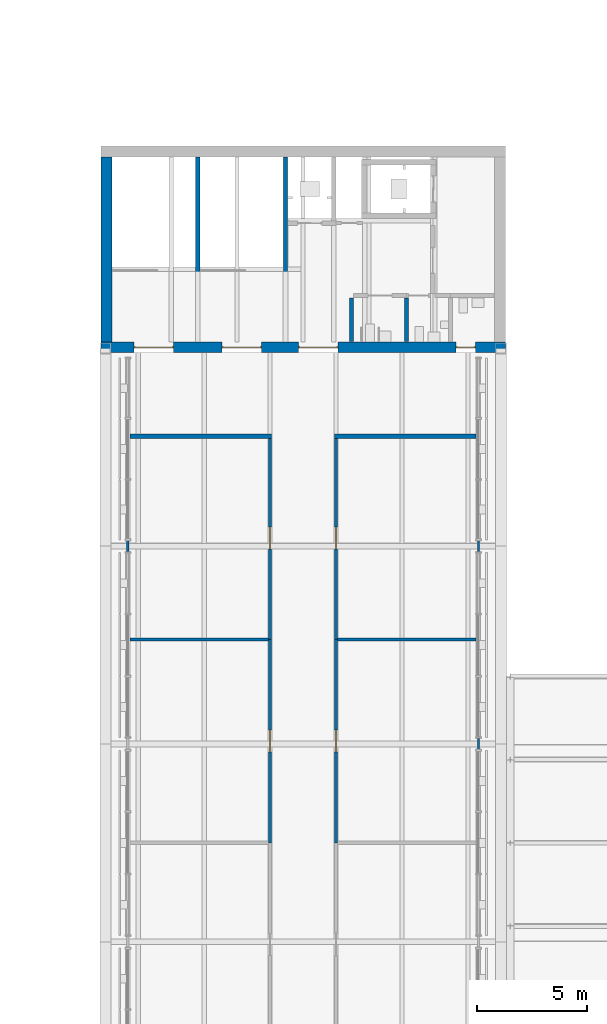
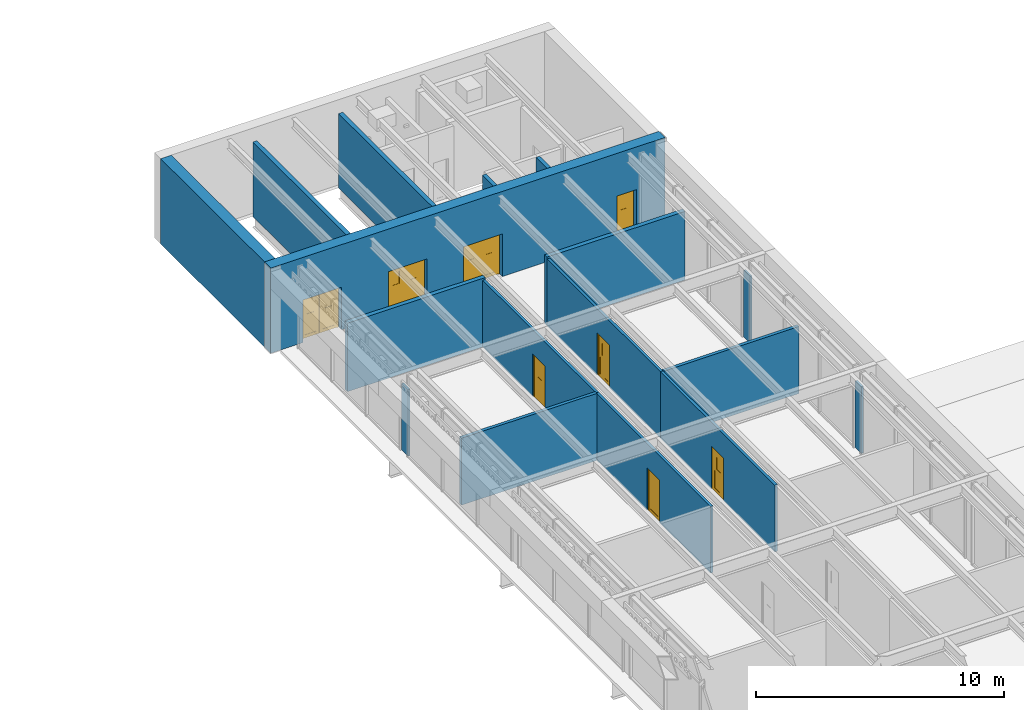
# One storey, part 21 of 43: 17 walls, 8 doors, 8 openings.
"""IFC4 building model written with IfcOpenShell, lengths in metres."""

from ifc_helpers import new_model, si_unit, direction, frame, frame_2d, origin, place, context, subcontext, project, spatial, polyline, rectangle, outline, extrude, material, layer, layer_set, type_object, element, fill, save


model = new_model("IFC4")

# Units and contexts
model_context = context("Model", 3, precision=1e-05, world=origin(), true_north=direction((0.0, 1.0)))
body_context = subcontext(model_context, "Body", "Model", "MODEL_VIEW")
ifc_project = project(units=[si_unit("LENGTHUNIT", "METRE"), si_unit("AREAUNIT", "SQUARE_METRE"), si_unit("VOLUMEUNIT", "CUBIC_METRE"), si_unit("PLANEANGLEUNIT", "RADIAN"), si_unit("MASSUNIT", "GRAM", prefix="KILO")], contexts=[model_context])

# Site, building, storey
site_placement = place(None, origin())
site = spatial("IfcSite", under=ifc_project, at=site_placement, CompositionType="ELEMENT")
building_placement = place(site_placement, origin())
building = spatial("IfcBuilding", under=site, at=building_placement, Name="Baradari Gate Terminus", CompositionType="ELEMENT")
storey_placement = place(building_placement, frame((0.0, 0.0, 20.10009765625)))
storey = spatial("IfcBuildingStorey", under=building, at=storey_placement, Name="L04", CompositionType="ELEMENT", Elevation=20.10009765625)

# Wall, openings, doors
ifc_material_1 = material(Name="Concrete C40/50", Category="concrete")
ifc_layer_1 = layer(ifc_material_1, 0.5)
ifc_layer_set_1 = layer_set([ifc_layer_1], Name="Concrete C40/50")
wall_type_1 = type_object("IfcWallType", Name="Abutment core wall CWL05 500", PredefinedType="SOLIDWALL", material=ifc_layer_set_1)
wall_1_placement = place(storey_placement, frame((71.800048828125, 81.050048828125, 0.0), z_axis=(0.0, 0.0, 1.0), x_axis=(1.0, 0.0, 0.0)))
wall_1 = element("IfcWall", 1, at=wall_1_placement, inside=storey, type_object=wall_type_1, Name="Abutment core wall GN S L04", PredefinedType="SOLIDWALL", context=body_context, shape_type="SweptSolid", body=[
    extrude(rectangle(XDim=18.39990234375, YDim=0.5, at=frame_2d((9.199951171875, 0.0))), origin(), (0.0, 0.0, 1.0), 4.199951171875),
])
opening_1_placement = place(wall_1_placement, frame((1.5, 0.0, 0.0)))
opening_1 = element("IfcOpeningElement", 2, at=opening_1_placement, cuts=wall_1, Name="Opening D04-031", PredefinedType="OPENING", context=body_context, shape_type="SweptSolid", body=[
    extrude(rectangle(XDim=1.800048828125, YDim=2.10009765625, at=frame_2d((0.89990234375, 1.050048828125))), frame((0.0, 0.260009765625, 0.0), z_axis=(0.0, -1.0, 0.0), x_axis=(1.0, 0.0, 0.0)), (0.0, 0.0, 1.0), 0.52001953125),
])
opening_2_placement = place(wall_1_placement, frame((5.5, 0.0, 0.0)))
opening_2 = element("IfcOpeningElement", 3, at=opening_2_placement, cuts=wall_1, Name="Opening D04-032", PredefinedType="OPENING", context=body_context, shape_type="SweptSolid", body=[
    extrude(rectangle(XDim=1.800048828125, YDim=2.10009765625, at=frame_2d((0.89990234375, 1.050048828125))), frame((0.0, 0.260009765625, 0.0), z_axis=(0.0, -1.0, 0.0), x_axis=(1.0, 0.0, 0.0)), (0.0, 0.0, 1.0), 0.52001953125),
])
opening_3_placement = place(wall_1_placement, frame((9.0, 0.0, 0.0)))
opening_3 = element("IfcOpeningElement", 4, at=opening_3_placement, cuts=wall_1, Name="Opening D04-033", PredefinedType="OPENING", context=body_context, shape_type="SweptSolid", body=[
    extrude(rectangle(XDim=1.800048828125, YDim=2.10009765625, at=frame_2d((0.89990234375, 1.050048828125))), frame((0.0, 0.260009765625, 0.0), z_axis=(0.0, -1.0, 0.0), x_axis=(1.0, 0.0, 0.0)), (0.0, 0.0, 1.0), 0.52001953125),
])
opening_4_placement = place(wall_1_placement, frame((16.14990234375, 0.0, 0.0)))
opening_4 = element("IfcOpeningElement", 5, at=opening_4_placement, cuts=wall_1, Name="Opening D04-038", PredefinedType="OPENING", context=body_context, shape_type="SweptSolid", body=[
    extrude(rectangle(XDim=0.89990234375, YDim=2.10009765625, at=frame_2d((0.449951171875, 1.050048828125))), frame((0.0, 0.260009765625, 0.0), z_axis=(0.0, -1.0, 0.0), x_axis=(1.0, 0.0, 0.0)), (0.0, 0.0, 1.0), 0.52001953125),
])
ifc_material_2 = material(Name="Steel S275", Category="steel")
door_type_1 = type_object("IfcDoorType", Name="Fire door FI-1800-FD90S 1800x2100 FD90S", OperationType="DOUBLE_DOOR_SINGLE_SWING", PredefinedType="DOOR", material=ifc_material_2)
door_1_placement = place(opening_1_placement, origin())
door_1 = element("IfcDoor", 6, at=door_1_placement, inside=storey, type_object=door_type_1, Name="Door Stair (Gate North) 1", OperationType="DOUBLE_DOOR_SINGLE_SWING", OverallHeight=2.1, OverallWidth=1.8, PredefinedType="DOOR", context=body_context, shape_type="SweptSolid", body=[
    extrude(outline(polyline([(0.0, 0.0), (0.070068359375, 0.0), (0.070068359375, 2.030029296875), (1.72998046875, 2.030029296875), (1.72998046875, 0.0), (1.800048828125, 0.0), (1.800048828125, 2.10009765625), (0.0, 2.10009765625), (0.0, 0.0)])), frame((0.0, 0.02490234375, 0.0), z_axis=(0.0, -1.0, 0.0), x_axis=(1.0, 0.0, 0.0)), (0.0, 0.0, 1.0), 0.050048828125),
    extrude(outline(polyline([(0.073974609375, 0.010009765625), (0.89697265625, 0.010009765625), (0.89697265625, 2.026123046875), (0.073974609375, 2.026123046875), (0.073974609375, 0.010009765625)]), holes=[polyline([(0.194091796875, 0.159912109375), (0.77685546875, 0.159912109375), (0.77685546875, 1.010009765625), (0.194091796875, 1.010009765625), (0.194091796875, 0.159912109375)]), polyline([(0.33544921875, 1.159912109375), (0.635498046875, 1.159912109375), (0.635498046875, 1.760009765625), (0.33544921875, 1.760009765625), (0.33544921875, 1.159912109375)])]), frame((0.0, 0.017333984375, 0.0), z_axis=(0.0, -1.0, 0.0), x_axis=(1.0, 0.0, 0.0)), (0.0, 0.0, 1.0), 0.034912109375),
    extrude(rectangle(XDim=0.582763671875, YDim=0.85009765625, at=frame_2d((0.4853515625, 0.5849609375))), frame((0.0, 0.008544921875, 0.0), z_axis=(0.0, -1.0, 0.0), x_axis=(1.0, 0.0, 0.0)), (0.0, 0.0, 1.0), 0.017333984375),
    extrude(rectangle(XDim=0.300048828125, YDim=0.60009765625, at=frame_2d((0.4853515625, 1.4599609375))), frame((0.0, 0.005859375, 0.0), z_axis=(0.0, -1.0, 0.0), x_axis=(1.0, 0.0, 0.0)), (0.0, 0.0, 1.0), 0.011962890625),
    extrude(outline(polyline([(0.903076171875, 0.010009765625), (1.72607421875, 0.010009765625), (1.72607421875, 2.026123046875), (0.903076171875, 2.026123046875), (0.903076171875, 0.010009765625)]), holes=[polyline([(1.023193359375, 0.159912109375), (1.60595703125, 0.159912109375), (1.60595703125, 1.010009765625), (1.023193359375, 1.010009765625), (1.023193359375, 0.159912109375)]), polyline([(1.16455078125, 1.159912109375), (1.464599609375, 1.159912109375), (1.464599609375, 1.760009765625), (1.16455078125, 1.760009765625), (1.16455078125, 1.159912109375)])]), frame((0.0, 0.017333984375, 0.0), z_axis=(0.0, -1.0, 0.0), x_axis=(1.0, 0.0, 0.0)), (0.0, 0.0, 1.0), 0.034912109375),
    extrude(rectangle(XDim=0.582763671875, YDim=0.85009765625, at=frame_2d((1.314453125, 0.5849609375))), frame((0.0, 0.008544921875, 0.0), z_axis=(0.0, -1.0, 0.0), x_axis=(1.0, 0.0, 0.0)), (0.0, 0.0, 1.0), 0.017333984375),
    extrude(rectangle(XDim=0.300048828125, YDim=0.60009765625, at=frame_2d((1.314453125, 1.4599609375))), frame((0.0, 0.005859375, 0.0), z_axis=(0.0, -1.0, 0.0), x_axis=(1.0, 0.0, 0.0)), (0.0, 0.0, 1.0), 0.011962890625),
])
fill(opening_1, door_1)
door_2_placement = place(opening_2_placement, origin())
door_2 = element("IfcDoor", 7, at=door_2_placement, inside=storey, type_object=door_type_1, Name="Door Stair (Gate North) 2", OperationType="DOUBLE_DOOR_SINGLE_SWING", OverallHeight=2.1, OverallWidth=1.8, PredefinedType="DOOR", context=body_context, shape_type="SweptSolid", body=[
    extrude(outline(polyline([(0.0, 0.0), (0.070068359375, 0.0), (0.070068359375, 2.030029296875), (1.72998046875, 2.030029296875), (1.72998046875, 0.0), (1.800048828125, 0.0), (1.800048828125, 2.10009765625), (0.0, 2.10009765625), (0.0, 0.0)])), frame((0.0, 0.02490234375, 0.0), z_axis=(0.0, -1.0, 0.0), x_axis=(1.0, 0.0, 0.0)), (0.0, 0.0, 1.0), 0.050048828125),
    extrude(outline(polyline([(0.073974609375, 0.010009765625), (0.89697265625, 0.010009765625), (0.89697265625, 2.026123046875), (0.073974609375, 2.026123046875), (0.073974609375, 0.010009765625)]), holes=[polyline([(0.194091796875, 0.159912109375), (0.77685546875, 0.159912109375), (0.77685546875, 1.010009765625), (0.194091796875, 1.010009765625), (0.194091796875, 0.159912109375)]), polyline([(0.33544921875, 1.159912109375), (0.635498046875, 1.159912109375), (0.635498046875, 1.760009765625), (0.33544921875, 1.760009765625), (0.33544921875, 1.159912109375)])]), frame((0.0, 0.017333984375, 0.0), z_axis=(0.0, -1.0, 0.0), x_axis=(1.0, 0.0, 0.0)), (0.0, 0.0, 1.0), 0.034912109375),
    extrude(rectangle(XDim=0.582763671875, YDim=0.85009765625, at=frame_2d((0.4853515625, 0.5849609375))), frame((0.0, 0.008544921875, 0.0), z_axis=(0.0, -1.0, 0.0), x_axis=(1.0, 0.0, 0.0)), (0.0, 0.0, 1.0), 0.017333984375),
    extrude(rectangle(XDim=0.300048828125, YDim=0.60009765625, at=frame_2d((0.4853515625, 1.4599609375))), frame((0.0, 0.005859375, 0.0), z_axis=(0.0, -1.0, 0.0), x_axis=(1.0, 0.0, 0.0)), (0.0, 0.0, 1.0), 0.011962890625),
    extrude(outline(polyline([(0.903076171875, 0.010009765625), (1.72607421875, 0.010009765625), (1.72607421875, 2.026123046875), (0.903076171875, 2.026123046875), (0.903076171875, 0.010009765625)]), holes=[polyline([(1.023193359375, 0.159912109375), (1.60595703125, 0.159912109375), (1.60595703125, 1.010009765625), (1.023193359375, 1.010009765625), (1.023193359375, 0.159912109375)]), polyline([(1.16455078125, 1.159912109375), (1.464599609375, 1.159912109375), (1.464599609375, 1.760009765625), (1.16455078125, 1.760009765625), (1.16455078125, 1.159912109375)])]), frame((0.0, 0.017333984375, 0.0), z_axis=(0.0, -1.0, 0.0), x_axis=(1.0, 0.0, 0.0)), (0.0, 0.0, 1.0), 0.034912109375),
    extrude(rectangle(XDim=0.582763671875, YDim=0.85009765625, at=frame_2d((1.314453125, 0.5849609375))), frame((0.0, 0.008544921875, 0.0), z_axis=(0.0, -1.0, 0.0), x_axis=(1.0, 0.0, 0.0)), (0.0, 0.0, 1.0), 0.017333984375),
    extrude(rectangle(XDim=0.300048828125, YDim=0.60009765625, at=frame_2d((1.314453125, 1.4599609375))), frame((0.0, 0.005859375, 0.0), z_axis=(0.0, -1.0, 0.0), x_axis=(1.0, 0.0, 0.0)), (0.0, 0.0, 1.0), 0.011962890625),
])
fill(opening_2, door_2)
door_3_placement = place(opening_3_placement, origin())
door_3 = element("IfcDoor", 8, at=door_3_placement, inside=storey, type_object=door_type_1, Name="Door Lift Lobby", OperationType="DOUBLE_DOOR_SINGLE_SWING", OverallHeight=2.1, OverallWidth=1.8, PredefinedType="DOOR", context=body_context, shape_type="SweptSolid", body=[
    extrude(outline(polyline([(0.0, 0.0), (0.070068359375, 0.0), (0.070068359375, 2.030029296875), (1.72998046875, 2.030029296875), (1.72998046875, 0.0), (1.800048828125, 0.0), (1.800048828125, 2.10009765625), (0.0, 2.10009765625), (0.0, 0.0)])), frame((0.0, 0.02490234375, 0.0), z_axis=(0.0, -1.0, 0.0), x_axis=(1.0, 0.0, 0.0)), (0.0, 0.0, 1.0), 0.050048828125),
    extrude(outline(polyline([(0.073974609375, 0.010009765625), (0.89697265625, 0.010009765625), (0.89697265625, 2.026123046875), (0.073974609375, 2.026123046875), (0.073974609375, 0.010009765625)]), holes=[polyline([(0.194091796875, 0.159912109375), (0.77685546875, 0.159912109375), (0.77685546875, 1.010009765625), (0.194091796875, 1.010009765625), (0.194091796875, 0.159912109375)]), polyline([(0.33544921875, 1.159912109375), (0.635498046875, 1.159912109375), (0.635498046875, 1.760009765625), (0.33544921875, 1.760009765625), (0.33544921875, 1.159912109375)])]), frame((0.0, 0.017333984375, 0.0), z_axis=(0.0, -1.0, 0.0), x_axis=(1.0, 0.0, 0.0)), (0.0, 0.0, 1.0), 0.034912109375),
    extrude(rectangle(XDim=0.582763671875, YDim=0.85009765625, at=frame_2d((0.4853515625, 0.5849609375))), frame((0.0, 0.008544921875, 0.0), z_axis=(0.0, -1.0, 0.0), x_axis=(1.0, 0.0, 0.0)), (0.0, 0.0, 1.0), 0.017333984375),
    extrude(rectangle(XDim=0.300048828125, YDim=0.60009765625, at=frame_2d((0.4853515625, 1.4599609375))), frame((0.0, 0.005859375, 0.0), z_axis=(0.0, -1.0, 0.0), x_axis=(1.0, 0.0, 0.0)), (0.0, 0.0, 1.0), 0.011962890625),
    extrude(outline(polyline([(0.903076171875, 0.010009765625), (1.72607421875, 0.010009765625), (1.72607421875, 2.026123046875), (0.903076171875, 2.026123046875), (0.903076171875, 0.010009765625)]), holes=[polyline([(1.023193359375, 0.159912109375), (1.60595703125, 0.159912109375), (1.60595703125, 1.010009765625), (1.023193359375, 1.010009765625), (1.023193359375, 0.159912109375)]), polyline([(1.16455078125, 1.159912109375), (1.464599609375, 1.159912109375), (1.464599609375, 1.760009765625), (1.16455078125, 1.760009765625), (1.16455078125, 1.159912109375)])]), frame((0.0, 0.017333984375, 0.0), z_axis=(0.0, -1.0, 0.0), x_axis=(1.0, 0.0, 0.0)), (0.0, 0.0, 1.0), 0.034912109375),
    extrude(rectangle(XDim=0.582763671875, YDim=0.85009765625, at=frame_2d((1.314453125, 0.5849609375))), frame((0.0, 0.008544921875, 0.0), z_axis=(0.0, -1.0, 0.0), x_axis=(1.0, 0.0, 0.0)), (0.0, 0.0, 1.0), 0.017333984375),
    extrude(rectangle(XDim=0.300048828125, YDim=0.60009765625, at=frame_2d((1.314453125, 1.4599609375))), frame((0.0, 0.005859375, 0.0), z_axis=(0.0, -1.0, 0.0), x_axis=(1.0, 0.0, 0.0)), (0.0, 0.0, 1.0), 0.011962890625),
])
fill(opening_3, door_3)
ifc_material_3 = material(Name="Steel S275", Category="steel")
door_type_2 = type_object("IfcDoorType", Name="Fire door FI-900-FD90S 900x2100 FD90S", OperationType="SINGLE_SWING_LEFT", PredefinedType="DOOR", material=ifc_material_3)
door_4_placement = place(opening_4_placement, origin())
door_4 = element("IfcDoor", 9, at=door_4_placement, inside=storey, type_object=door_type_2, Name="Door Female WC", OperationType="SINGLE_SWING_LEFT", OverallHeight=2.1, OverallWidth=0.9, PredefinedType="DOOR", context=body_context, shape_type="SweptSolid", body=[
    extrude(outline(polyline([(0.0, 0.0), (0.070068359375, 0.0), (0.070068359375, 2.030029296875), (0.829833984375, 2.030029296875), (0.829833984375, 0.0), (0.89990234375, 0.0), (0.89990234375, 2.10009765625), (0.0, 2.10009765625), (0.0, 0.0)])), frame((0.0, 0.02490234375, 0.0), z_axis=(0.0, -1.0, 0.0), x_axis=(1.0, 0.0, 0.0)), (0.0, 0.0, 1.0), 0.050048828125),
    extrude(outline(polyline([(0.073974609375, 0.010009765625), (0.825927734375, 0.010009765625), (0.825927734375, 2.026123046875), (0.073974609375, 2.026123046875), (0.073974609375, 0.010009765625)]), holes=[polyline([(0.194091796875, 0.159912109375), (0.705810546875, 0.159912109375), (0.705810546875, 1.010009765625), (0.194091796875, 1.010009765625), (0.194091796875, 0.159912109375)]), polyline([(0.300048828125, 1.159912109375), (0.599853515625, 1.159912109375), (0.599853515625, 1.760009765625), (0.300048828125, 1.760009765625), (0.300048828125, 1.159912109375)])]), frame((0.0, 0.017333984375, 0.0), z_axis=(0.0, -1.0, 0.0), x_axis=(1.0, 0.0, 0.0)), (0.0, 0.0, 1.0), 0.034912109375),
    extrude(rectangle(XDim=0.51171875, YDim=0.85009765625, at=frame_2d((0.449951171875, 0.5849609375))), frame((0.0, 0.008544921875, 0.0), z_axis=(0.0, -1.0, 0.0), x_axis=(1.0, 0.0, 0.0)), (0.0, 0.0, 1.0), 0.017333984375),
    extrude(rectangle(XDim=0.2998046875, YDim=0.60009765625, at=frame_2d((0.449951171875, 1.4599609375))), frame((0.0, 0.005859375, 0.0), z_axis=(0.0, -1.0, 0.0), x_axis=(1.0, 0.0, 0.0)), (0.0, 0.0, 1.0), 0.011962890625),
])
fill(opening_4, door_4)

# Wall
wall_2_placement = place(storey_placement, frame((72.050048828125, 81.300048828125, 0.0), z_axis=(0.0, 0.0, 1.0), x_axis=(0.0, 1.0, 0.0)))
element("IfcWall", 10, at=wall_2_placement, inside=storey, type_object=wall_type_1, Name="Abutment core wall GN W L04", PredefinedType="SOLIDWALL", context=body_context, shape_type="SweptSolid", body=[
    extrude(rectangle(XDim=8.39990234375, YDim=0.5, at=frame_2d((4.199951171875, 0.0))), origin(), (0.0, 0.0, 1.0), 4.199951171875),
])

# Wall, opening, door
ifc_material_4 = material(Name="Gypsum board")
ifc_layer_2 = layer(ifc_material_4, 0.125)
ifc_layer_set_2 = layer_set([ifc_layer_2], Name="Gypsum board")
wall_type_2 = type_object("IfcWallType", Name="Corridor partition PT-5 125 EI 30", PredefinedType="PARTITIONING", material=ifc_layer_set_2)
wall_3_placement = place(storey_placement, frame((82.5, 67.75, 0.0), z_axis=(0.0, 0.0, 1.0), x_axis=(0.0, -1.0, 0.0)))
wall_3 = element("IfcWall", 11, at=wall_3_placement, inside=storey, type_object=wall_type_2, Name="PT-5 partition Corridor (Gate Spine) / Gate Office 4.07", PredefinedType="PARTITIONING", context=body_context, shape_type="SweptSolid", body=[
    extrude(rectangle(XDim=9.25, YDim=0.125, at=frame_2d((4.625, 0.0))), origin(), (0.0, 0.0, 1.0), 3.286865234375),
])
opening_5_placement = place(wall_3_placement, frame((4.125, 0.0, 0.0)))
opening_5 = element("IfcOpeningElement", 12, at=opening_5_placement, cuts=wall_3, Name="Opening D04-053", PredefinedType="OPENING", context=body_context, shape_type="SweptSolid", body=[
    extrude(rectangle(XDim=1.0, YDim=2.10009765625, at=frame_2d((0.5, 1.050048828125))), frame((0.0, 0.072509765625, 0.0), z_axis=(0.0, -1.0, 0.0), x_axis=(1.0, 0.0, 0.0)), (0.0, 0.0, 1.0), 0.14501953125),
])
ifc_material_5 = material(Name="Steel S275", Category="steel")
door_type_3 = type_object("IfcDoorType", Name="Fire door FI-1000-FD30S 1000x2100 FD30S", OperationType="SINGLE_SWING_LEFT", PredefinedType="DOOR", material=ifc_material_5)
door_5_placement = place(opening_5_placement, origin())
door_5 = element("IfcDoor", 13, at=door_5_placement, inside=storey, type_object=door_type_3, Name="Door Gate Office 4.07", OperationType="SINGLE_SWING_LEFT", OverallHeight=2.1, OverallWidth=1.0, PredefinedType="DOOR", context=body_context, shape_type="SweptSolid", body=[
    extrude(outline(polyline([(0.0, 0.0), (0.070068359375, 0.0), (0.070068359375, 2.030029296875), (0.929931640625, 2.030029296875), (0.929931640625, 0.0), (1.0, 0.0), (1.0, 2.10009765625), (0.0, 2.10009765625), (0.0, 0.0)])), frame((0.0, 0.02490234375, 0.0), z_axis=(0.0, -1.0, 0.0), x_axis=(1.0, 0.0, 0.0)), (0.0, 0.0, 1.0), 0.050048828125),
    extrude(outline(polyline([(0.073974609375, 0.010009765625), (0.926025390625, 0.010009765625), (0.926025390625, 2.026123046875), (0.073974609375, 2.026123046875), (0.073974609375, 0.010009765625)]), holes=[polyline([(0.194091796875, 0.159912109375), (0.805908203125, 0.159912109375), (0.805908203125, 1.010009765625), (0.194091796875, 1.010009765625), (0.194091796875, 0.159912109375)]), polyline([(0.35009765625, 1.159912109375), (0.64990234375, 1.159912109375), (0.64990234375, 1.760009765625), (0.35009765625, 1.760009765625), (0.35009765625, 1.159912109375)])]), frame((0.0, 0.017333984375, 0.0), z_axis=(0.0, -1.0, 0.0), x_axis=(1.0, 0.0, 0.0)), (0.0, 0.0, 1.0), 0.034912109375),
    extrude(rectangle(XDim=0.61181640625, YDim=0.85009765625, at=frame_2d((0.5, 0.5849609375))), frame((0.0, 0.008544921875, 0.0), z_axis=(0.0, -1.0, 0.0), x_axis=(1.0, 0.0, 0.0)), (0.0, 0.0, 1.0), 0.017333984375),
    extrude(rectangle(XDim=0.2998046875, YDim=0.60009765625, at=frame_2d((0.5, 1.4599609375))), frame((0.0, 0.005859375, 0.0), z_axis=(0.0, -1.0, 0.0), x_axis=(1.0, 0.0, 0.0)), (0.0, 0.0, 1.0), 0.011962890625),
])
fill(opening_5, door_5)

wall_4_placement = place(storey_placement, frame((79.5, 58.5, 0.0), z_axis=(0.0, 0.0, 1.0), x_axis=(0.0, 1.0, 0.0)))
wall_4 = element("IfcWall", 14, at=wall_4_placement, inside=storey, type_object=wall_type_2, Name="PT-5 partition Corridor (Gate Spine) / Gate Office 4.03", PredefinedType="PARTITIONING", context=body_context, shape_type="SweptSolid", body=[
    extrude(rectangle(XDim=9.25, YDim=0.125, at=frame_2d((4.625, 0.0))), origin(), (0.0, 0.0, 1.0), 3.286865234375),
])
opening_6_placement = place(wall_4_placement, frame((4.125, 0.0, 0.0)))
opening_6 = element("IfcOpeningElement", 15, at=opening_6_placement, cuts=wall_4, Name="Opening D04-049", PredefinedType="OPENING", context=body_context, shape_type="SweptSolid", body=[
    extrude(rectangle(XDim=1.0, YDim=2.10009765625, at=frame_2d((0.5, 1.050048828125))), frame((0.0, 0.072509765625, 0.0), z_axis=(0.0, -1.0, 0.0), x_axis=(1.0, 0.0, 0.0)), (0.0, 0.0, 1.0), 0.14501953125),
])
door_6_placement = place(opening_6_placement, origin())
door_6 = element("IfcDoor", 16, at=door_6_placement, inside=storey, type_object=door_type_3, Name="Door Gate Office 4.03", OperationType="SINGLE_SWING_LEFT", OverallHeight=2.1, OverallWidth=1.0, PredefinedType="DOOR", context=body_context, shape_type="SweptSolid", body=[
    extrude(outline(polyline([(0.0, 0.0), (0.070068359375, 0.0), (0.070068359375, 2.030029296875), (0.929931640625, 2.030029296875), (0.929931640625, 0.0), (1.0, 0.0), (1.0, 2.10009765625), (0.0, 2.10009765625), (0.0, 0.0)])), frame((0.0, 0.02490234375, 0.0), z_axis=(0.0, -1.0, 0.0), x_axis=(1.0, 0.0, 0.0)), (0.0, 0.0, 1.0), 0.050048828125),
    extrude(outline(polyline([(0.073974609375, 0.010009765625), (0.926025390625, 0.010009765625), (0.926025390625, 2.026123046875), (0.073974609375, 2.026123046875), (0.073974609375, 0.010009765625)]), holes=[polyline([(0.194091796875, 0.159912109375), (0.805908203125, 0.159912109375), (0.805908203125, 1.010009765625), (0.194091796875, 1.010009765625), (0.194091796875, 0.159912109375)]), polyline([(0.35009765625, 1.159912109375), (0.64990234375, 1.159912109375), (0.64990234375, 1.760009765625), (0.35009765625, 1.760009765625), (0.35009765625, 1.159912109375)])]), frame((0.0, 0.017333984375, 0.0), z_axis=(0.0, -1.0, 0.0), x_axis=(1.0, 0.0, 0.0)), (0.0, 0.0, 1.0), 0.034912109375),
    extrude(rectangle(XDim=0.61181640625, YDim=0.85009765625, at=frame_2d((0.5, 0.5849609375))), frame((0.0, 0.008544921875, 0.0), z_axis=(0.0, -1.0, 0.0), x_axis=(1.0, 0.0, 0.0)), (0.0, 0.0, 1.0), 0.017333984375),
    extrude(rectangle(XDim=0.2998046875, YDim=0.60009765625, at=frame_2d((0.5, 1.4599609375))), frame((0.0, 0.005859375, 0.0), z_axis=(0.0, -1.0, 0.0), x_axis=(1.0, 0.0, 0.0)), (0.0, 0.0, 1.0), 0.011962890625),
])
fill(opening_6, door_6)

wall_5_placement = place(storey_placement, frame((79.5, 67.75, 0.0), z_axis=(0.0, 0.0, 1.0), x_axis=(0.0, 1.0, 0.0)))
wall_5 = element("IfcWall", 17, at=wall_5_placement, inside=storey, type_object=wall_type_2, Name="PT-5 partition Corridor (Gate Spine) / Gate Office 4.04", PredefinedType="PARTITIONING", context=body_context, shape_type="SweptSolid", body=[
    extrude(rectangle(XDim=9.14990234375, YDim=0.125, at=frame_2d((4.574951171875, 0.0))), origin(), (0.0, 0.0, 1.0), 3.286865234375),
])
opening_7_placement = place(wall_5_placement, frame((4.125, 0.0, 0.0)))
opening_7 = element("IfcOpeningElement", 18, at=opening_7_placement, cuts=wall_5, Name="Opening D04-050", PredefinedType="OPENING", context=body_context, shape_type="SweptSolid", body=[
    extrude(rectangle(XDim=1.0, YDim=2.10009765625, at=frame_2d((0.5, 1.050048828125))), frame((0.0, 0.072509765625, 0.0), z_axis=(0.0, -1.0, 0.0), x_axis=(1.0, 0.0, 0.0)), (0.0, 0.0, 1.0), 0.14501953125),
])
door_7_placement = place(opening_7_placement, origin())
door_7 = element("IfcDoor", 19, at=door_7_placement, inside=storey, type_object=door_type_3, Name="Door Gate Office 4.04", OperationType="SINGLE_SWING_LEFT", OverallHeight=2.1, OverallWidth=1.0, PredefinedType="DOOR", context=body_context, shape_type="SweptSolid", body=[
    extrude(outline(polyline([(0.0, 0.0), (0.070068359375, 0.0), (0.070068359375, 2.030029296875), (0.929931640625, 2.030029296875), (0.929931640625, 0.0), (1.0, 0.0), (1.0, 2.10009765625), (0.0, 2.10009765625), (0.0, 0.0)])), frame((0.0, 0.02490234375, 0.0), z_axis=(0.0, -1.0, 0.0), x_axis=(1.0, 0.0, 0.0)), (0.0, 0.0, 1.0), 0.050048828125),
    extrude(outline(polyline([(0.073974609375, 0.010009765625), (0.926025390625, 0.010009765625), (0.926025390625, 2.026123046875), (0.073974609375, 2.026123046875), (0.073974609375, 0.010009765625)]), holes=[polyline([(0.194091796875, 0.159912109375), (0.805908203125, 0.159912109375), (0.805908203125, 1.010009765625), (0.194091796875, 1.010009765625), (0.194091796875, 0.159912109375)]), polyline([(0.35009765625, 1.159912109375), (0.64990234375, 1.159912109375), (0.64990234375, 1.760009765625), (0.35009765625, 1.760009765625), (0.35009765625, 1.159912109375)])]), frame((0.0, 0.017333984375, 0.0), z_axis=(0.0, -1.0, 0.0), x_axis=(1.0, 0.0, 0.0)), (0.0, 0.0, 1.0), 0.034912109375),
    extrude(rectangle(XDim=0.61181640625, YDim=0.85009765625, at=frame_2d((0.5, 0.5849609375))), frame((0.0, 0.008544921875, 0.0), z_axis=(0.0, -1.0, 0.0), x_axis=(1.0, 0.0, 0.0)), (0.0, 0.0, 1.0), 0.017333984375),
    extrude(rectangle(XDim=0.2998046875, YDim=0.60009765625, at=frame_2d((0.5, 1.4599609375))), frame((0.0, 0.005859375, 0.0), z_axis=(0.0, -1.0, 0.0), x_axis=(1.0, 0.0, 0.0)), (0.0, 0.0, 1.0), 0.011962890625),
])
fill(opening_7, door_7)

wall_6_placement = place(storey_placement, frame((82.5, 76.89990234375, 0.0), z_axis=(0.0, 0.0, 1.0), x_axis=(0.0, -1.0, 0.0)))
wall_6 = element("IfcWall", 20, at=wall_6_placement, inside=storey, type_object=wall_type_2, Name="PT-5 partition Corridor (Gate Spine) / Gate Office 4.08", PredefinedType="PARTITIONING", context=body_context, shape_type="SweptSolid", body=[
    extrude(rectangle(XDim=9.14990234375, YDim=0.125, at=frame_2d((4.574951171875, 0.0))), origin(), (0.0, 0.0, 1.0), 3.286865234375),
])
opening_8_placement = place(wall_6_placement, frame((4.02490234375, 0.0, 0.0)))
opening_8 = element("IfcOpeningElement", 21, at=opening_8_placement, cuts=wall_6, Name="Opening D04-054", PredefinedType="OPENING", context=body_context, shape_type="SweptSolid", body=[
    extrude(rectangle(XDim=1.0, YDim=2.10009765625, at=frame_2d((0.5, 1.050048828125))), frame((0.0, 0.072509765625, 0.0), z_axis=(0.0, -1.0, 0.0), x_axis=(1.0, 0.0, 0.0)), (0.0, 0.0, 1.0), 0.14501953125),
])
door_8_placement = place(opening_8_placement, origin())
door_8 = element("IfcDoor", 22, at=door_8_placement, inside=storey, type_object=door_type_3, Name="Door Gate Office 4.08", OperationType="SINGLE_SWING_LEFT", OverallHeight=2.1, OverallWidth=1.0, PredefinedType="DOOR", context=body_context, shape_type="SweptSolid", body=[
    extrude(outline(polyline([(0.0, 0.0), (0.070068359375, 0.0), (0.070068359375, 2.030029296875), (0.929931640625, 2.030029296875), (0.929931640625, 0.0), (1.0, 0.0), (1.0, 2.10009765625), (0.0, 2.10009765625), (0.0, 0.0)])), frame((0.0, 0.02490234375, 0.0), z_axis=(0.0, -1.0, 0.0), x_axis=(1.0, 0.0, 0.0)), (0.0, 0.0, 1.0), 0.050048828125),
    extrude(outline(polyline([(0.073974609375, 0.010009765625), (0.926025390625, 0.010009765625), (0.926025390625, 2.026123046875), (0.073974609375, 2.026123046875), (0.073974609375, 0.010009765625)]), holes=[polyline([(0.194091796875, 0.159912109375), (0.805908203125, 0.159912109375), (0.805908203125, 1.010009765625), (0.194091796875, 1.010009765625), (0.194091796875, 0.159912109375)]), polyline([(0.35009765625, 1.159912109375), (0.64990234375, 1.159912109375), (0.64990234375, 1.760009765625), (0.35009765625, 1.760009765625), (0.35009765625, 1.159912109375)])]), frame((0.0, 0.017333984375, 0.0), z_axis=(0.0, -1.0, 0.0), x_axis=(1.0, 0.0, 0.0)), (0.0, 0.0, 1.0), 0.034912109375),
    extrude(rectangle(XDim=0.61181640625, YDim=0.85009765625, at=frame_2d((0.5, 0.5849609375))), frame((0.0, 0.008544921875, 0.0), z_axis=(0.0, -1.0, 0.0), x_axis=(1.0, 0.0, 0.0)), (0.0, 0.0, 1.0), 0.017333984375),
    extrude(rectangle(XDim=0.2998046875, YDim=0.60009765625, at=frame_2d((0.5, 1.4599609375))), frame((0.0, 0.005859375, 0.0), z_axis=(0.0, -1.0, 0.0), x_axis=(1.0, 0.0, 0.0)), (0.0, 0.0, 1.0), 0.011962890625),
])
fill(opening_8, door_8)

# Walls
ifc_material_6 = material(Name="Blockwork wall, plastered, fire rated", Category="masonry")
ifc_layer_3 = layer(ifc_material_6, 0.199951171875)
ifc_layer_set_3 = layer_set([ifc_layer_3], Name="Blockwork wall, plastered, fire rated")
wall_type_3 = type_object("IfcWallType", Name="Lobby partition PT-4 200 EI 60", PredefinedType="PARTITIONING", material=ifc_layer_set_3)
for number, where, z_axis, x_axis, name in (
    (23, (79.5625, 77.0, 0.0), (0.0, 0.0, 1.0), (-1.0, 0.0, 0.0), "PT-4 partition Lobby (Gate North) / Gate Office 4.04"),
    (24, (88.875, 77.0, 0.0), (0.0, 0.0, 1.0), (-1.0, 0.0, 0.0), "PT-4 partition Lobby (Gate North) / Gate Office 4.08"),
):
    element("IfcWall", number, at=place(storey_placement, frame(where, z_axis=z_axis, x_axis=x_axis)), inside=storey, type_object=wall_type_3, Name=name, PredefinedType="PARTITIONING", context=body_context, shape_type="SweptSolid", body=[
        extrude(rectangle(XDim=6.4375, YDim=0.199951171875, at=frame_2d((3.21875, 0.0))), origin(), (0.0, 0.0, 1.0), 3.3818359375),
    ])
ifc_material_7 = material(Name="Blockwork wall, plastered", Category="masonry")
ifc_layer_4 = layer(ifc_material_7, 0.14990234375)
ifc_layer_set_4 = layer_set([ifc_layer_4], Name="Blockwork wall, plastered")
wall_type_4 = type_object("IfcWallType", Name="Partition PT-2 150 EI 60", PredefinedType="PARTITIONING", material=ifc_layer_set_4)
for number, where, z_axis, x_axis, name in (
    (25, (73.125, 67.75, 0.0), (0.0, 0.0, 1.0), (1.0, 0.0, 0.0), "PT-2 partition Gate Office 4.03 / Gate Office 4.04"),
    (26, (82.5625, 67.75, 0.0), (0.0, 0.0, 1.0), (1.0, 0.0, 0.0), "PT-2 partition Gate Office 4.07 / Gate Office 4.08"),
):
    element("IfcWall", number, at=place(storey_placement, frame(where, z_axis=z_axis, x_axis=x_axis)), inside=storey, type_object=wall_type_4, Name=name, PredefinedType="PARTITIONING", context=body_context, shape_type="SweptSolid", body=[
        extrude(rectangle(XDim=6.3125, YDim=0.14990234375, at=frame_2d((3.15625, 0.0))), origin(), (0.0, 0.0, 1.0), 3.306884765625),
    ])
ifc_material_8 = material(Name="Concrete C40/50 precast", Category="concrete")
ifc_layer_5 = layer(ifc_material_8, 0.06)
ifc_material_9 = material(Name="Reconstituted stone", Category="masonry")
ifc_layer_6 = layer(ifc_material_9, 0.04)
ifc_layer_set_5 = layer_set([ifc_layer_5, ifc_layer_6], Name="Concrete C40/50 precast")
wall_type_5 = type_object("IfcWallType", Name="Precast cover panel WP-3 100", PredefinedType="SOLIDWALL", material=ifc_layer_set_5)
for number, where, z_axis, x_axis, name in (
    (27, (73.02490234375, 71.75, 0.0), (0.0, 0.0, 1.0), (0.0, 1.0, 0.0), "Post cover panel GW L04 5"),
    (28, (88.97509765625, 62.75, 0.0), (0.0, 0.0, 1.0), (0.0, 1.0, 0.0), "Post cover panel GE L04 4"),
    (29, (88.97509765625, 71.75, 0.0), (0.0, 0.0, 1.0), (0.0, 1.0, 0.0), "Post cover panel GE L04 5"),
):
    element("IfcWall", number, at=place(storey_placement, frame(where, z_axis=z_axis, x_axis=x_axis)), inside=storey, type_object=wall_type_5, Name=name, PredefinedType="SOLIDWALL", context=body_context, shape_type="SweptSolid", body=[
        extrude(rectangle(XDim=0.5, YDim=0.10009765625, at=frame_2d((0.25, 0.0))), origin(), (0.0, 0.0, 1.0), 3.28759765625),
    ])
ifc_material_10 = material(Name="Concrete C40/50", Category="concrete")
ifc_layer_7 = layer(ifc_material_10, 0.199951171875)
ifc_layer_set_6 = layer_set([ifc_layer_7], Name="Concrete C40/50")
wall_type_6 = type_object("IfcWallType", Name="Stair enclosure wall SE-4 200 EI 120", PredefinedType="SOLIDWALL", material=ifc_layer_set_6)
for number, where, z_axis, x_axis, name in (
    (30, (76.199951171875, 81.302001953125, -0.150146484375), (0.0, 0.0, 1.0), (0.0, 1.0, 0.0), "Stair enclosure wall SE-4 ST-GN1 L04 E"),
    (31, (80.199951171875, 81.302001953125, -0.150146484375), (0.0, 0.0, 1.0), (0.0, 1.0, 0.0), "Stair enclosure wall SE-4 ST-GN2 L04 E"),
):
    element("IfcWall", number, at=place(storey_placement, frame(where, z_axis=z_axis, x_axis=x_axis)), inside=storey, type_object=wall_type_6, Name=name, PredefinedType="SOLIDWALL", context=body_context, shape_type="SweptSolid", body=[
        extrude(rectangle(XDim=8.39599609375, YDim=0.199951171875, at=frame_2d((4.197998046875, 0.0))), origin(), (0.0, 0.0, 1.0), 3.666015625),
    ])
ifc_material_11 = material(Name="Blockwork wall, tiled both faces", Category="masonry")
ifc_layer_8 = layer(ifc_material_11, 0.175048828125)
ifc_layer_set_7 = layer_set([ifc_layer_8], Name="Blockwork wall, tiled both faces")
wall_type_7 = type_object("IfcWallType", Name="WC wet wall PT-6 175 EI 60", PredefinedType="PARTITIONING", material=ifc_layer_set_7)
for number, where, z_axis, x_axis, name in (
    (32, (83.199951171875, 83.300048828125, 0.0), (0.0, 0.0, 1.0), (0.0, -1.0, 0.0), "PT-6 partition Lift Lobby / Accessible WC"),
    (33, (85.699951171875, 83.300048828125, 0.0), (0.0, 0.0, 1.0), (0.0, -1.0, 0.0), "PT-6 partition Accessible WC / Male WC"),
):
    element("IfcWall", number, at=place(storey_placement, frame(where, z_axis=z_axis, x_axis=x_axis)), inside=storey, type_object=wall_type_7, Name=name, PredefinedType="PARTITIONING", context=body_context, shape_type="SweptSolid", body=[
        extrude(rectangle(XDim=1.998046875, YDim=0.175048828125, at=frame_2d((0.9990234375, 0.0))), origin(), (0.0, 0.0, 1.0), 3.306884765625),
    ])

save(model, "model.ifc")
